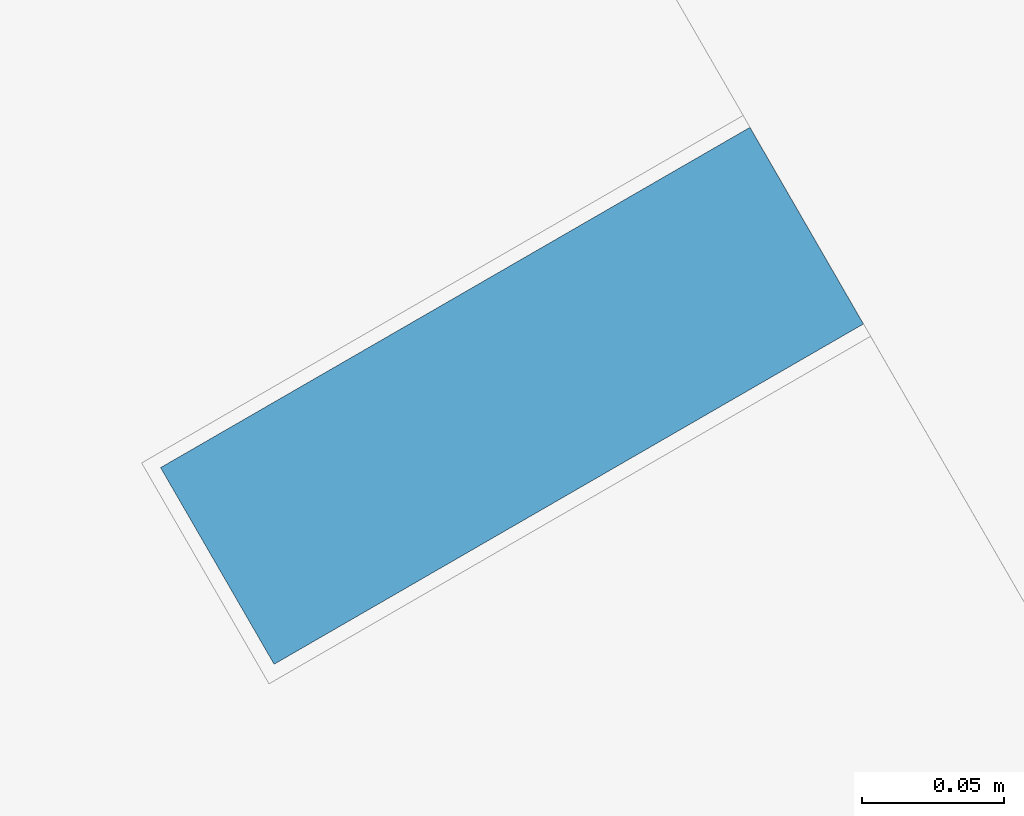
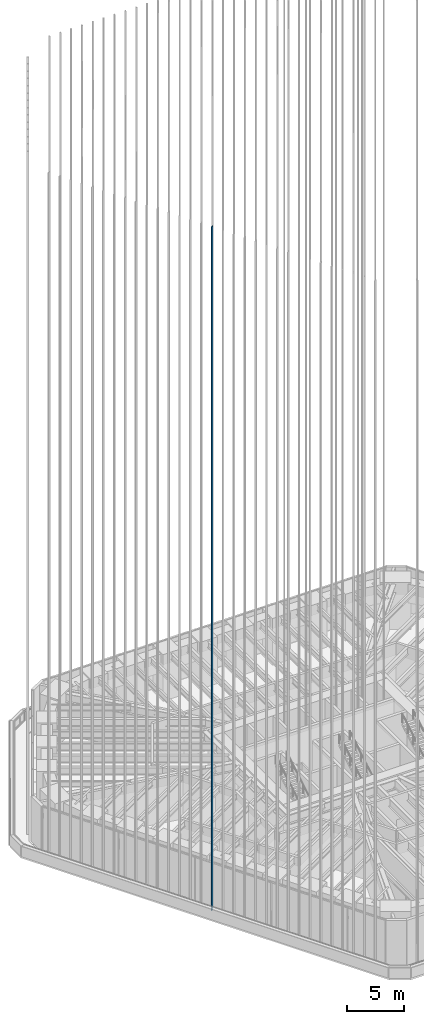
# One storey, part 46 of 228: 1 member, 1 element without a shape of its own.
"""IFC4 building model written with IfcOpenShell, lengths in metres."""

from ifc_helpers import new_model, si_unit, direction, frame, origin, origin_2d, place, context, subcontext, project, spatial, rectangle, extrude, material, material_profile, profile_set, type_object, element, aggregate, save


model = new_model("IFC4")

# Units and contexts
model_context = context("Model", 3, precision=1e-05, world=origin(), true_north=direction((0.0, 1.0)))
body_context = subcontext(model_context, "Body", "Model", "MODEL_VIEW")
ifc_project = project(units=[si_unit("LENGTHUNIT", "METRE"), si_unit("AREAUNIT", "SQUARE_METRE"), si_unit("VOLUMEUNIT", "CUBIC_METRE"), si_unit("PLANEANGLEUNIT", "RADIAN"), si_unit("MASSUNIT", "GRAM", prefix="KILO")], contexts=[model_context])

# Site, building, storey
site_placement = place(None, origin())
site = spatial("IfcSite", under=ifc_project, at=site_placement, CompositionType="ELEMENT")
building_placement = place(site_placement, origin())
building = spatial("IfcBuilding", under=site, at=building_placement, Name="Sandreach Pilgrim Tower", CompositionType="ELEMENT")
storey_placement = place(building_placement, frame((0.0, 0.0, 178.199951171875)))
storey = spatial("IfcBuildingStorey", under=building, at=storey_placement, Name="L44", CompositionType="ELEMENT", Elevation=178.199951171875)

# Curtain wall, member
ifc_material_1 = material(Name="Aluminium framed curtain wall", Category="aluminium")
curtain_wall_type = type_object("IfcCurtainWallType", Name="Upper hotel tower curtain wall", PredefinedType="NOTDEFINED", material=ifc_material_1)
curtain_wall_placement = place(storey_placement, origin())
curtain_wall = element("IfcCurtainWall", 1, at=curtain_wall_placement, inside=storey, type_object=curtain_wall_type, Name="CW-3 L44 SW", PredefinedType="NOTDEFINED")
ifc_material_2 = material(Name="Extruded terracotta on aluminium core", Category="masonry")
ifc_material_profile = material_profile(ifc_material_2, rectangle(XDim=0.080078125, YDim=0.239990234375, at=origin_2d()), Name="TBW 80X240")
ifc_profile_set = profile_set([ifc_material_profile], Name="Extruded terracotta on aluminium core")
member_type = type_object("IfcMemberType", Name="Terracotta baguette west", PredefinedType="USERDEFINED", material=ifc_profile_set)
member_placement = place(storey_placement, frame((-18.68896484375, -10.7900390625, 0.0), z_axis=(0.0, 0.0, 1.0), x_axis=(-0.5, 0.866025403784, 0.0)))
member = element("IfcMember", 2, at=member_placement, type_object=member_type, Name="Baguette Z3 SW16", ObjectType="BAGUETTE", PredefinedType="USERDEFINED", context=body_context, shape_type="SweptSolid", body=[
    extrude(rectangle(XDim=0.080078125, YDim=0.239990234375, at=origin_2d()), origin(), (0.0, 0.0, 1.0), 73.239990234375),
])
aggregate(curtain_wall, [member])

save(model, "model.ifc")
